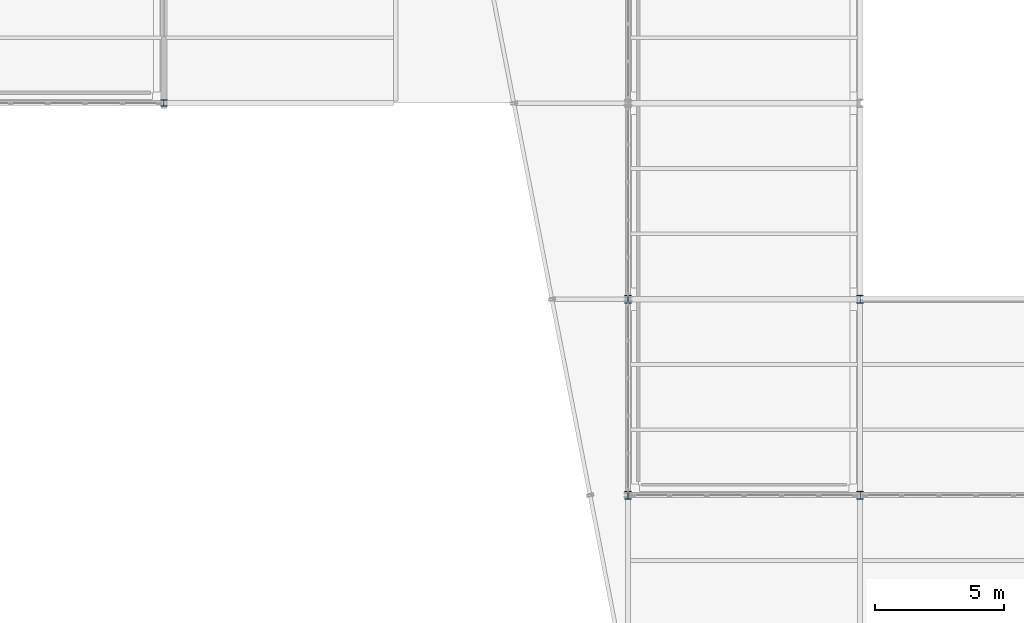
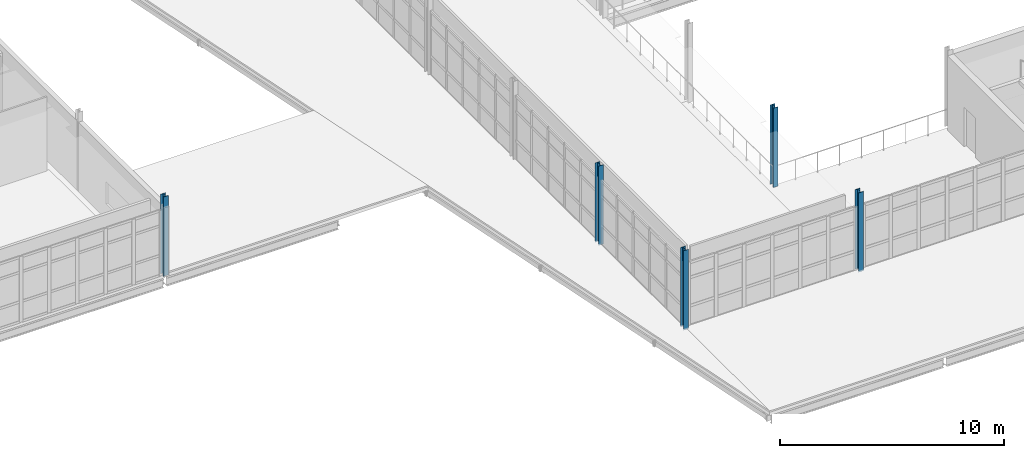
# One storey, part 9 of 96: 5 columns.
"""IFC4 building model written with IfcOpenShell, lengths in metres."""

from ifc_helpers import new_model, si_unit, direction, frame, origin, origin_2d, place, context, subcontext, project, spatial, i_section, extrude, material, material_profile, profile_set, type_object, element, save


model = new_model("IFC4")

# Units and contexts
model_context = context("Model", 3, precision=1e-05, world=origin(), true_north=direction((0.0, 1.0)))
body_context = subcontext(model_context, "Body", "Model", "MODEL_VIEW")
ifc_project = project(units=[si_unit("LENGTHUNIT", "METRE"), si_unit("AREAUNIT", "SQUARE_METRE"), si_unit("VOLUMEUNIT", "CUBIC_METRE"), si_unit("PLANEANGLEUNIT", "RADIAN"), si_unit("MASSUNIT", "GRAM", prefix="KILO")], contexts=[model_context])

# Site, building, storey
site_placement = place(None, origin())
site = spatial("IfcSite", under=ifc_project, at=site_placement, CompositionType="ELEMENT")
building_placement = place(site_placement, origin())
building = spatial("IfcBuilding", under=site, at=building_placement, Name="Caisbarro Railhouse Central Library", CompositionType="ELEMENT")
storey_placement = place(building_placement, frame((0.0, 0.0, 13.679931640625)))
storey = spatial("IfcBuildingStorey", under=building, at=storey_placement, Name="L03", CompositionType="ELEMENT", Elevation=13.679931640625)

# Columns
ifc_material = material(Name="Steel ASTM A572 Grade 50", Category="steel")
ifc_material_profile_1 = material_profile(ifc_material, i_section(OverallWidth=0.25390625, OverallDepth=0.305908203125, WebThickness=0.0087890625, FlangeThickness=0.0146484375, FilletRadius=0.014892578125, at=origin_2d()), Name="W310X79.0")
ifc_profile_set_1 = profile_set([ifc_material_profile_1], Name="Steel ASTM A572 Grade 50")
column_type_1 = type_object("IfcColumnType", Name="COL-C07", PredefinedType="COLUMN", material=ifc_profile_set_1)
for number, where, z_axis, x_axis, name in (
    (1, (117.0, 68.39990234375, 0.0), (0.0, 0.0, 1.0), (1.0, 0.0, 0.0), "C07 column L03 (117.0,68.4)"),
    (2, (117.0, 76.0, 0.0), (0.0, 0.0, 1.0), (1.0, 0.0, 0.0), "C07 column L03 (117.0,76.0)"),
    (3, (126.0, 68.39990234375, 0.0), (0.0, 0.0, 1.0), (1.0, 0.0, 0.0), "C07 column L03 (126.0,68.4)"),
    (4, (126.0, 76.0, 0.0), (0.0, 0.0, 1.0), (1.0, 0.0, 0.0), "C07 column L03 (126.0,76.0)"),
):
    element("IfcColumn", number, at=place(storey_placement, frame(where, z_axis=z_axis, x_axis=x_axis)), inside=storey, type_object=column_type_1, Name=name, PredefinedType="COLUMN", context=body_context, shape_type="SweptSolid", body=[
        extrude(i_section(OverallWidth=0.25390625, OverallDepth=0.305908203125, WebThickness=0.0087890625, FlangeThickness=0.0146484375, FilletRadius=0.014892578125, at=origin_2d()), origin(), (0.0, 0.0, 1.0), 4.320068359375),
    ])
ifc_material_profile_2 = material_profile(ifc_material, i_section(OverallWidth=0.25390625, OverallDepth=0.2529296875, WebThickness=0.008544921875, FlangeThickness=0.01416015625, FilletRadius=0.011962890625, at=origin_2d()), Name="W250X73.0")
ifc_profile_set_2 = profile_set([ifc_material_profile_2], Name="Steel ASTM A572 Grade 50")
column_type_2 = type_object("IfcColumnType", Name="COL-C08", PredefinedType="COLUMN", material=ifc_profile_set_2)
column_placement = place(storey_placement, frame((99.0, 83.60009765625, 0.0), z_axis=(0.0, 0.0, 1.0), x_axis=(1.0, 0.0, 0.0)))
element("IfcColumn", 5, at=column_placement, inside=storey, type_object=column_type_2, Name="C08 column L03 (99.0,83.6)", PredefinedType="COLUMN", context=body_context, shape_type="SweptSolid", body=[
    extrude(i_section(OverallWidth=0.25390625, OverallDepth=0.2529296875, WebThickness=0.008544921875, FlangeThickness=0.01416015625, FilletRadius=0.011962890625, at=origin_2d()), origin(), (0.0, 0.0, 1.0), 4.320068359375),
])

save(model, "model.ifc")
